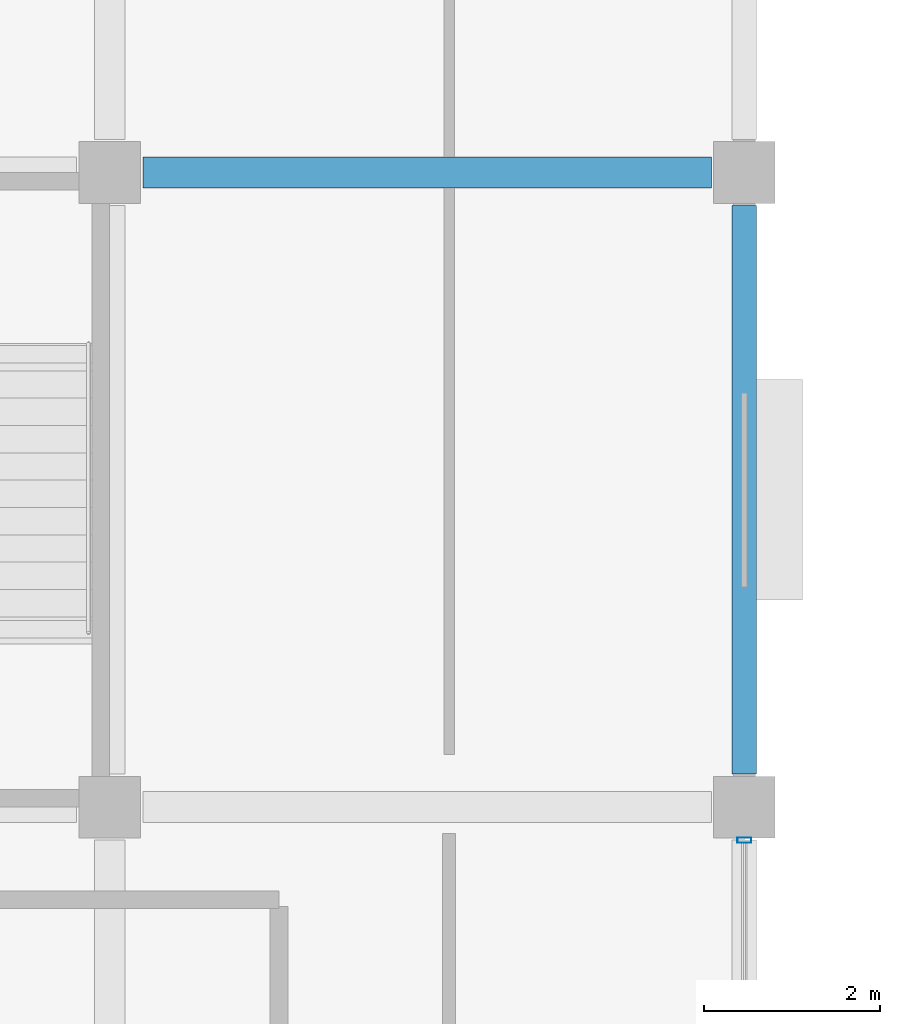
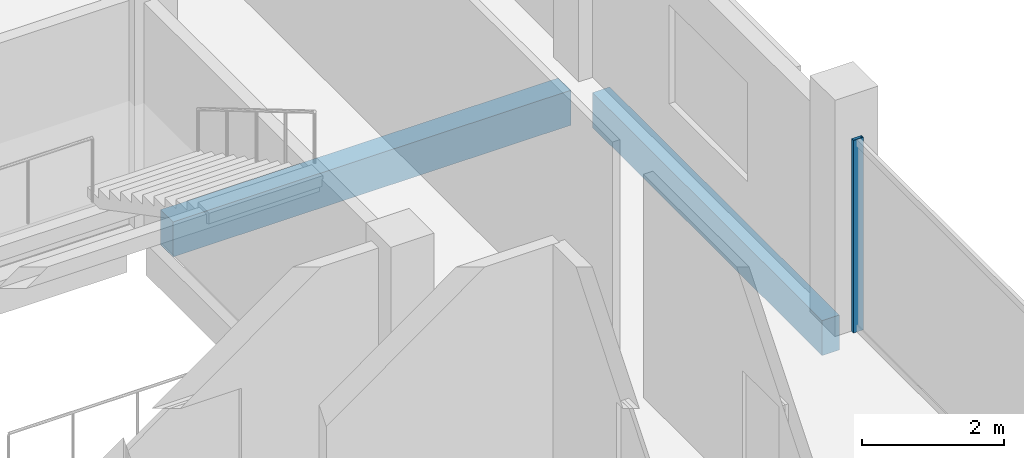
# One storey, part 17 of 77: 2 beams, 1 member, 1 element without a shape of its own.
"""IFC4 building model written with IfcOpenShell, lengths in metres."""

from ifc_helpers import new_model, si_unit, direction, frame, origin, origin_2d, place, context, subcontext, project, spatial, rectangle, hollow_rectangle, extrude, material, layer, layer_set, material_profile, profile_set, type_object, element, aggregate, save


model = new_model("IFC4")

# Units and contexts
model_context = context("Model", 3, precision=1e-05, world=origin(), true_north=direction((0.0, 1.0)))
body_context = subcontext(model_context, "Body", "Model", "MODEL_VIEW")
ifc_project = project(units=[si_unit("LENGTHUNIT", "METRE"), si_unit("AREAUNIT", "SQUARE_METRE"), si_unit("VOLUMEUNIT", "CUBIC_METRE"), si_unit("PLANEANGLEUNIT", "RADIAN"), si_unit("MASSUNIT", "GRAM", prefix="KILO")], contexts=[model_context])

# Site, building, storey
site_placement = place(None, origin())
site = spatial("IfcSite", under=ifc_project, at=site_placement, CompositionType="ELEMENT")
building_placement = place(site_placement, origin())
building = spatial("IfcBuilding", under=site, at=building_placement, Name="Kangsadwip Square Police Headquarters", CompositionType="ELEMENT")
storey_placement = place(building_placement, frame((0.0, 0.0, 17.550048828125)))
storey = spatial("IfcBuildingStorey", under=building, at=storey_placement, Name="L04", CompositionType="ELEMENT", Elevation=17.550048828125)

# Curtain wall, member
ifc_material_1 = material(Name="Thermally broken anodised aluminium AW-6063-T6", Category="aluminium")
ifc_layer = layer(ifc_material_1, 0.159912109375)
ifc_layer_set = layer_set([ifc_layer], Name="Thermally broken anodised aluminium AW-6063-T6")
curtain_wall_type = type_object("IfcCurtainWallType", Name="CourtScreen6510x3300", PredefinedType="USERDEFINED", material=ifc_layer_set)
curtain_wall_placement = place(storey_placement, origin())
curtain_wall = element("IfcCurtainWall", 1, at=curtain_wall_placement, inside=storey, type_object=curtain_wall_type, Name="Curtain Wall CW-L04-0216-0651", ObjectType="GLAZED_SCREEN", PredefinedType="USERDEFINED")
ifc_material_2 = material(Name="Thermally broken anodised aluminium AW-6063-T6", Category="aluminium")
ifc_material_profile_1 = material_profile(ifc_material_2, hollow_rectangle(XDim=0.06005859375, YDim=0.159912109375, WallThickness=0.00390625, at=origin_2d()), Name="CWM 160X60X4")
ifc_profile_set_1 = profile_set([ifc_material_profile_1], Name="Thermally broken anodised aluminium AW-6063-T6")
member_type = type_object("IfcMemberType", Name="CwMullion135x60", PredefinedType="MULLION", material=ifc_profile_set_1)
member_placement = place(storey_placement, frame((21.60009765625, 71.625, 0.0), z_axis=(0.0, 0.0, 1.0), x_axis=(0.0, 1.0, 0.0)))
member = element("IfcMember", 2, at=member_placement, type_object=member_type, Name="CW-46 mullion 2", PredefinedType="MULLION", context=body_context, shape_type="SweptSolid", body=[
    extrude(hollow_rectangle(XDim=0.06005859375, YDim=0.159912109375, WallThickness=0.00390625, at=origin_2d()), origin(), (0.0, 0.0, 1.0), 3.300048828125),
])
aggregate(curtain_wall, [member])

# Beams
ifc_material_3 = material(Name="Concrete M35 (35 MPa)", Category="concrete")
ifc_material_profile_2 = material_profile(ifc_material_3, rectangle(XDim=0.35009765625, YDim=0.60009765625, at=origin_2d()), Name="RC BM 600X350")
ifc_profile_set_2 = profile_set([ifc_material_profile_2], Name="Concrete M35 (35 MPa)")
beam_type_1 = type_object("IfcBeamType", Name="RcBeam600x350", PredefinedType="BEAM", material=ifc_profile_set_2)
beam_1_placement = place(storey_placement, frame((14.77490234375, 79.199951171875, -0.5400390625), z_axis=(1.0, 0.0, 0.0), x_axis=(0.0, 1.0, 0.0)))
element("IfcBeam", 3, at=beam_1_placement, inside=storey, type_object=beam_type_1, Name="Beam BM-L04-X-02-11", PredefinedType="BEAM", context=body_context, shape_type="SweptSolid", body=[
    extrude(rectangle(XDim=0.35009765625, YDim=0.60009765625, at=origin_2d()), origin(), (0.0, 0.0, 1.0), 6.4501953125),
])
ifc_material_4 = material(Name="Concrete M40 (40 MPa)", Category="concrete")
ifc_material_profile_3 = material_profile(ifc_material_4, rectangle(XDim=0.280029296875, YDim=0.60009765625, at=origin_2d()), Name="RC SPN 600X280")
ifc_profile_set_3 = profile_set([ifc_material_profile_3], Name="Concrete M40 (40 MPa)")
beam_type_2 = type_object("IfcBeamType", Name="RcSpandrel600x280", PredefinedType="SPANDREL", material=ifc_profile_set_3)
beam_2_placement = place(storey_placement, frame((21.60009765625, 72.375, -0.5400390625), z_axis=(0.0, 1.0, 0.0), x_axis=(-1.0, 0.0, 0.0)))
element("IfcBeam", 4, at=beam_2_placement, inside=storey, type_object=beam_type_2, Name="Beam BM-L04-Y-03-10", PredefinedType="SPANDREL", context=body_context, shape_type="SweptSolid", body=[
    extrude(rectangle(XDim=0.280029296875, YDim=0.60009765625, at=origin_2d()), origin(), (0.0, 0.0, 1.0), 6.449951171875),
])

save(model, "model.ifc")
